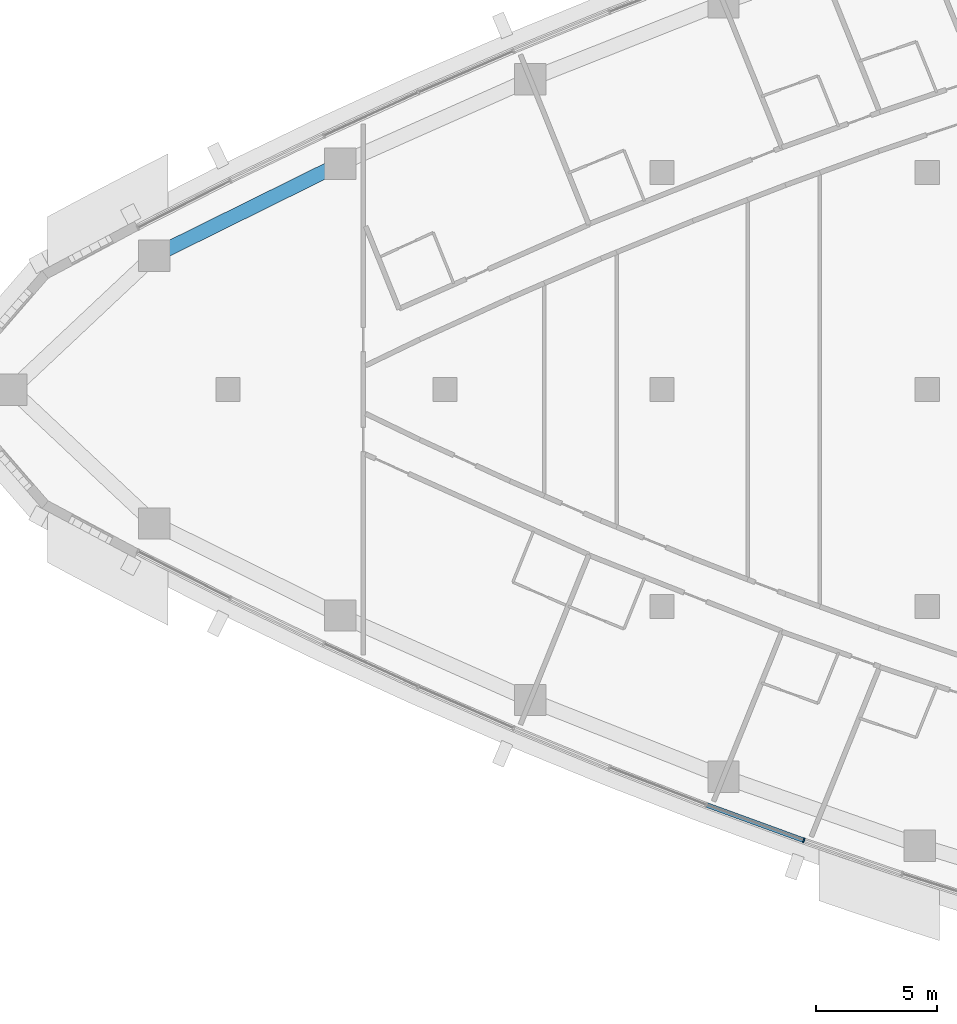
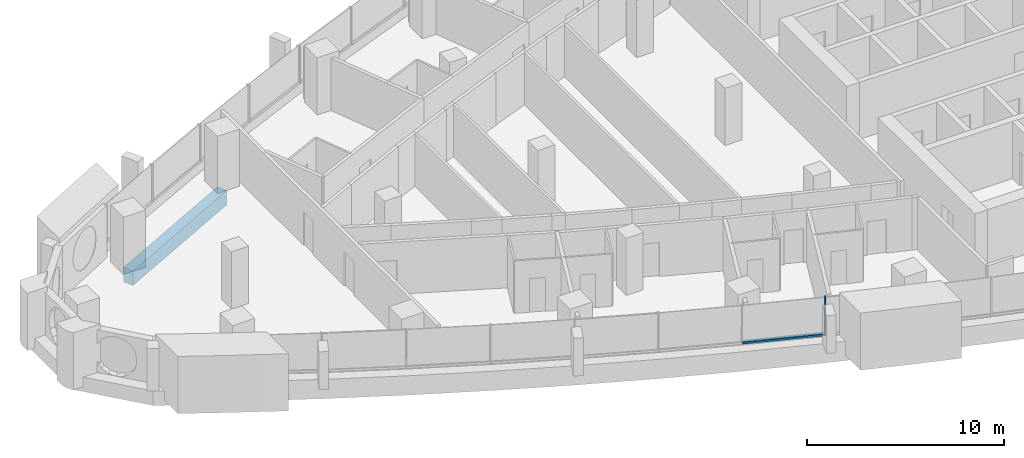
# One storey, part 3 of 17: 2 members, 1 beam, 1 element without a shape of its own.
"""IFC4 building model written with IfcOpenShell, lengths in metres."""

from ifc_helpers import new_model, si_unit, direction, frame, origin, origin_2d, place, context, subcontext, project, spatial, rectangle, extrude, material, layer, layer_set, material_profile, profile_set, type_object, element, aggregate, save


model = new_model("IFC4")

# Units and contexts
model_context = context("Model", 3, precision=1e-05, world=origin(), true_north=direction((0.0, 1.0)))
body_context = subcontext(model_context, "Body", "Model", "MODEL_VIEW")
ifc_project = project(units=[si_unit("LENGTHUNIT", "METRE"), si_unit("AREAUNIT", "SQUARE_METRE"), si_unit("VOLUMEUNIT", "CUBIC_METRE"), si_unit("PLANEANGLEUNIT", "RADIAN"), si_unit("MASSUNIT", "GRAM", prefix="KILO")], contexts=[model_context])

# Site, building, storey
site_placement = place(None, origin())
site = spatial("IfcSite", under=ifc_project, at=site_placement, CompositionType="ELEMENT")
building_placement = place(site_placement, origin())
building = spatial("IfcBuilding", under=site, at=building_placement, Name="Ostrand Prow Hotel Tower", CompositionType="ELEMENT")
storey_placement = place(building_placement, frame((0.0, 0.0, 179.050048828125)))
storey = spatial("IfcBuildingStorey", under=building, at=storey_placement, Name="L44", CompositionType="ELEMENT", Elevation=179.050048828125)

# Beam
ifc_material_1 = material(Name="Concrete C60/75", Category="concrete")
ifc_material_profile_1 = material_profile(ifc_material_1, rectangle(XDim=0.60009765625, YDim=0.89990234375, at=origin_2d()), Name="RC 600x900")
ifc_profile_set_1 = profile_set([ifc_material_profile_1], Name="Concrete C60/75")
beam_type = type_object("IfcBeamType", Name="Edge beam 600x900 C60/75", PredefinedType="SPANDREL", material=ifc_profile_set_1)
beam_placement = place(storey_placement, frame((20.656982421875, 9.373291015625, -0.75), z_axis=(-0.896383774903, -0.443278837856, 0.0), x_axis=(0.443278837856, -0.896383774903, 0.0)))
element("IfcBeam", 1, at=beam_placement, inside=storey, type_object=beam_type, Name="Edge beam N5-N6", PredefinedType="SPANDREL", context=body_context, shape_type="SweptSolid", body=[
    extrude(rectangle(XDim=0.60009765625, YDim=0.89990234375, at=origin_2d()), origin(), (0.0, 0.0, 1.0), 8.62158203125),
])

# Curtain wall, members
ifc_material_2 = material(Name="Insulated glass in bronze anodised frame", Category="glass")
ifc_layer = layer(ifc_material_2, 0.199951171875)
ifc_layer_set = layer_set([ifc_layer], Name="Insulated glass in bronze anodised frame")
curtain_wall_type = type_object("IfcCurtainWallType", Name="Strip curtain wall, fritted glass over bronze spandrel", PredefinedType="NOTDEFINED", material=ifc_layer_set)
curtain_wall_placement = place(storey_placement, origin())
curtain_wall = element("IfcCurtainWall", 2, at=curtain_wall_placement, inside=storey, type_object=curtain_wall_type, Name="CW1 run CWS4", PredefinedType="NOTDEFINED")
ifc_material_3 = material(Name="Bronze anodised aluminium", Category="aluminium")
ifc_material_profile_2 = material_profile(ifc_material_3, rectangle(XDim=0.199951171875, YDim=0.06005859375, at=origin_2d()), Name="Mullion 60x200 bronze anodised aluminium")
ifc_profile_set_2 = profile_set([ifc_material_profile_2], Name="Bronze anodised aluminium")
member_type_1 = type_object("IfcMemberType", Name="Mullion 60x200 bronze anodised aluminium", PredefinedType="MULLION", material=ifc_profile_set_2)
member_1_placement = place(storey_placement, frame((39.87939453125, -18.696533203125, 0.89990234375), z_axis=(0.0, 0.0, 1.0), x_axis=(0.322908332404, 0.946430245113, 0.0)))
member_1 = element("IfcMember", 3, at=member_1_placement, type_object=member_type_1, Name="CW1 mullion 2", PredefinedType="MULLION", context=body_context, shape_type="SweptSolid", body=[
    extrude(rectangle(XDim=0.199951171875, YDim=0.06005859375, at=origin_2d()), origin(), (0.0, 0.0, 1.0), 2.35009765625),
])
ifc_material_4 = material(Name="Bronze anodised aluminium", Category="aluminium")
ifc_material_profile_3 = material_profile(ifc_material_4, rectangle(XDim=0.199951171875, YDim=0.1201171875, at=origin_2d()), Name="Transom 120x200 bronze anodised aluminium")
ifc_profile_set_3 = profile_set([ifc_material_profile_3], Name="Bronze anodised aluminium")
member_type_2 = type_object("IfcMemberType", Name="Transom 120x200 bronze anodised aluminium", PredefinedType="USERDEFINED", material=ifc_profile_set_3)
member_2_placement = place(storey_placement, frame((35.86181640625, -17.235107421875, 0.9599609375), z_axis=(0.939753116272, -0.341853887584, 0.0), x_axis=(0.341853887584, 0.939753116272, 0.0)))
member_2 = element("IfcMember", 4, at=member_2_placement, type_object=member_type_2, Name="CW1 transom 1.1", ObjectType="TRANSOM", PredefinedType="USERDEFINED", context=body_context, shape_type="SweptSolid", body=[
    extrude(rectangle(XDim=0.199951171875, YDim=0.1201171875, at=origin_2d()), origin(), (0.0, 0.0, 1.0), 4.2451171875),
])
aggregate(curtain_wall, [member_1, member_2])

save(model, "model.ifc")
